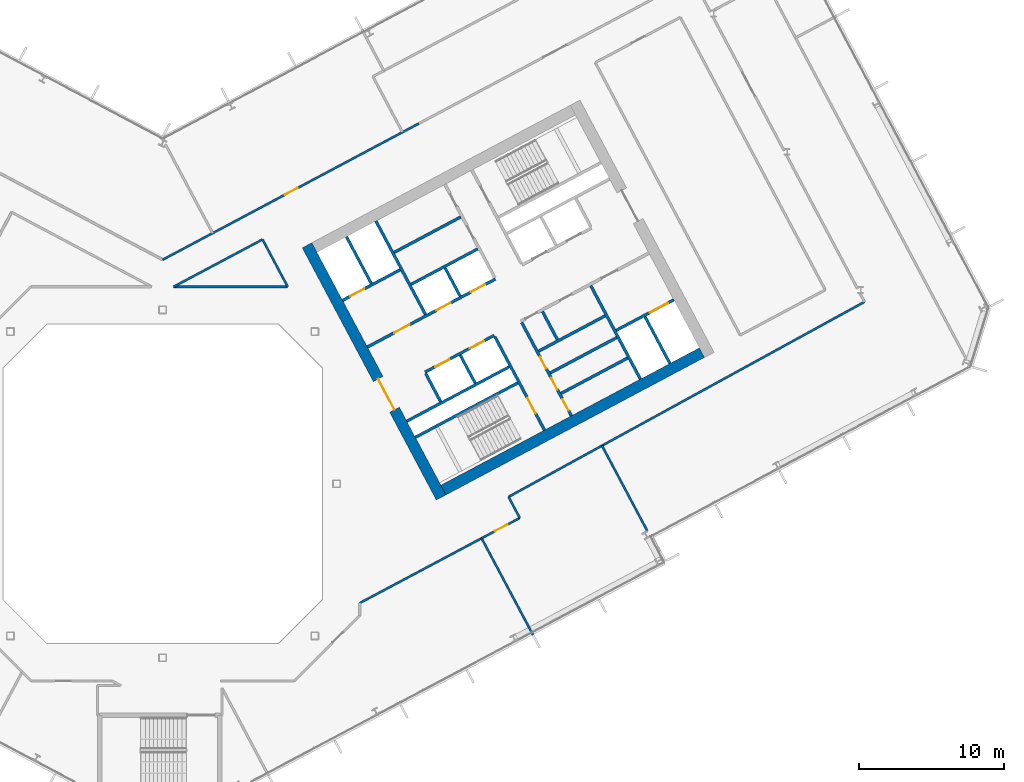
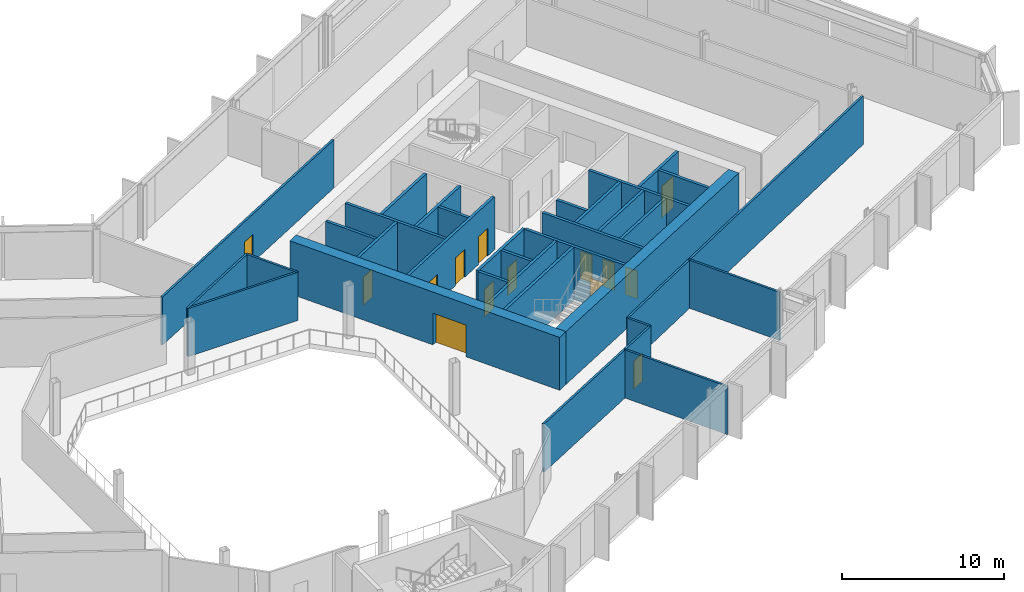
# One storey, part 16 of 28: 34 walls, 14 doors, 14 openings.
"""IFC4 building model written with IfcOpenShell, lengths in metres."""

from ifc_helpers import new_model, si_unit, direction, frame, frame_2d, origin, place, context, subcontext, project, spatial, rectangle, extrude, material, layer, layer_set, type_object, element, fill, save


model = new_model("IFC4")

# Units and contexts
model_context = context("Model", 3, precision=1e-05, world=origin(), true_north=direction((0.0, 1.0)))
body_context = subcontext(model_context, "Body", "Model", "MODEL_VIEW")
ifc_project = project(units=[si_unit("LENGTHUNIT", "METRE"), si_unit("AREAUNIT", "SQUARE_METRE"), si_unit("VOLUMEUNIT", "CUBIC_METRE"), si_unit("PLANEANGLEUNIT", "RADIAN"), si_unit("MASSUNIT", "GRAM", prefix="KILO")], contexts=[model_context])

# Site, building, storey
site_placement = place(None, origin())
site = spatial("IfcSite", under=ifc_project, at=site_placement, CompositionType="ELEMENT")
building_placement = place(site_placement, origin())
building = spatial("IfcBuilding", under=site, at=building_placement, Name="Cormorant Relay Tower", CompositionType="ELEMENT")
storey_placement = place(building_placement, frame((0.0, 0.0, 170.199951171875)))
storey = spatial("IfcBuildingStorey", under=building, at=storey_placement, Name="L36", CompositionType="ELEMENT", Elevation=170.199951171875)

# Walls
ifc_material_1 = material(Name="Concrete 40 MPa", Category="concrete")
ifc_layer_1 = layer(ifc_material_1, 0.199951171875)
ifc_layer_set_1 = layer_set([ifc_layer_1], Name="Core internal wall 200")
wall_type_1 = type_object("IfcWallType", Name="Core internal wall 200", PredefinedType="SOLIDWALL", material=ifc_layer_set_1)
for number, where, z_axis, x_axis, name in (
    (1, (21.567626953125, 6.9375, 0.0), (0.0, 0.0, 1.0), (-0.469533832133, 0.882914480843, 0.0), "L36 core B shaft and room wall"),
    (2, (20.522216796875, 12.950439453125, 0.0), (0.0, 0.0, 1.0), (-0.469401318492, 0.882984938828, 0.0), "L36 core B shaft and room wall"),
    (3, (27.236083984375, 9.951416015625, 0.0), (0.0, 0.0, 1.0), (-0.4694473164, 0.882960484464, 0.0), "L36 core B shaft and room wall"),
):
    element("IfcWall", number, at=place(storey_placement, frame(where, z_axis=z_axis, x_axis=x_axis)), inside=storey, type_object=wall_type_1, Name=name, PredefinedType="SOLIDWALL", context=body_context, shape_type="SweptSolid", body=[
        extrude(rectangle(XDim=2.199951171875, YDim=0.199951171875, at=frame_2d((1.10009765625, 0.0))), origin(), (0.0, 0.0, 1.0), 4.0),
    ])
for number, where, z_axis, x_axis, name in (
    (4, (27.490234375, 6.23583984375, 0.0), (0.0, 0.0, 1.0), (0.882953967957, 0.469459572775, 0.0), "L36 core B shaft and room wall"),
    (5, (26.739013671875, 7.6484375, 0.0), (0.0, 0.0, 1.0), (0.882934506056, 0.469496174655, 0.0), "L36 core B shaft and room wall"),
    (6, (15.97314453125, 15.968017578125, 0.0), (0.0, 0.0, 1.0), (0.882953967957, 0.469459572775, 0.0), "L36 core B shaft and room wall"),
):
    element("IfcWall", number, at=place(storey_placement, frame(where, z_axis=z_axis, x_axis=x_axis)), inside=storey, type_object=wall_type_1, Name=name, PredefinedType="SOLIDWALL", context=body_context, shape_type="SweptSolid", body=[
        extrude(rectangle(XDim=5.199951171875, YDim=0.199951171875, at=frame_2d((2.60009765625, 0.0))), origin(), (0.0, 0.0, 1.0), 4.0),
    ])
ifc_material_2 = material(Name="Concrete 50 MPa", Category="concrete")
ifc_layer_2 = layer(ifc_material_2, 0.199951171875)
ifc_layer_set_2 = layer_set([ifc_layer_2], Name="Core shaft wall 200")
wall_type_2 = type_object("IfcWallType", Name="Core shaft wall 200", PredefinedType="SHEAR", material=ifc_layer_set_2)
wall_1_placement = place(storey_placement, frame((14.39404296875, 13.825927734375, 0.0), z_axis=(0.0, 0.0, 1.0), x_axis=(-0.469494272526, 0.882935517501, 0.0)))
element("IfcWall", 7, at=wall_1_placement, inside=storey, type_object=wall_type_2, Name="L36 core B shaft wall", PredefinedType="SHEAR", context=body_context, shape_type="SweptSolid", body=[
    extrude(rectangle(XDim=3.64990234375, YDim=0.199951171875, at=frame_2d((1.824951171875, 0.0))), origin(), (0.0, 0.0, 1.0), 4.0),
])
wall_2_placement = place(storey_placement, frame((19.18359375, 5.669921875, 0.0), z_axis=(0.0, 0.0, 1.0), x_axis=(-0.4694473164, 0.882960484464, 0.0)))
element("IfcWall", 8, at=wall_2_placement, inside=storey, type_object=wall_type_2, Name="L36 core B shaft wall", PredefinedType="SHEAR", context=body_context, shape_type="SweptSolid", body=[
    extrude(rectangle(XDim=2.199951171875, YDim=0.199951171875, at=frame_2d((1.10009765625, 0.0))), origin(), (0.0, 0.0, 1.0), 4.0),
])
wall_3_placement = place(storey_placement, frame((18.138427734375, 11.682861328125, 0.0), z_axis=(0.0, 0.0, 1.0), x_axis=(-0.469480409012, 0.88294288918, 0.0)))
element("IfcWall", 9, at=wall_3_placement, inside=storey, type_object=wall_type_2, Name="L36 core B shaft wall", PredefinedType="SHEAR", context=body_context, shape_type="SweptSolid", body=[
    extrude(rectangle(XDim=7.300048828125, YDim=0.199951171875, at=frame_2d((3.64990234375, 0.0))), origin(), (0.0, 0.0, 1.0), 4.0),
])

# Wall, opening, door
wall_4_placement = place(storey_placement, frame((26.345947265625, 3.701904296875, 0.0), z_axis=(0.0, 0.0, 1.0), x_axis=(-0.469480409012, 0.88294288918, 0.0)))
wall_4 = element("IfcWall", 10, at=wall_4_placement, inside=storey, type_object=wall_type_2, Name="L36 core B shaft wall", PredefinedType="SHEAR", context=body_context, shape_type="SweptSolid", body=[
    extrude(rectangle(XDim=7.300048828125, YDim=0.199951171875, at=frame_2d((3.64990234375, 0.0))), origin(), (0.0, 0.0, 1.0), 4.0),
])
opening_1_placement = place(wall_4_placement, frame((1.300048828125, 0.0, 0.0)))
opening_1 = element("IfcOpeningElement", 11, at=opening_1_placement, cuts=wall_4, Name="Opening CDB-036", PredefinedType="OPENING", context=body_context, shape_type="SweptSolid", body=[
    extrude(rectangle(XDim=1.199951171875, YDim=2.10009765625, at=frame_2d((0.60009765625, 1.050048828125))), frame((0.0, 0.10986328125, 0.0), z_axis=(0.0, -1.0, 0.0), x_axis=(1.0, 0.0, 0.0)), (0.0, 0.0, 1.0), 0.219970703125),
])
ifc_material_3 = material(Name="Steel fire door", Category="steel")
door_type_1 = type_object("IfcDoorType", Name="Core stair door 1200x2100", OperationType="SINGLE_SWING_LEFT", PredefinedType="DOOR", material=ifc_material_3)
door_1_placement = place(opening_1_placement, origin())
door_1 = element("IfcDoor", 12, at=door_1_placement, inside=storey, type_object=door_type_1, Name="Core stair door 1200x2100", OperationType="SINGLE_SWING_RIGHT", OverallHeight=2.10009765625, OverallWidth=1.199951171875, PredefinedType="DOOR", context=body_context, shape_type="SweptSolid", body=[
    extrude(rectangle(XDim=1.199951171875, YDim=2.10009765625, at=frame_2d((0.60009765625, 1.050048828125))), frame((0.0, 0.02490234375, 0.0), z_axis=(0.0, -1.0, 0.0), x_axis=(1.0, 0.0, 0.0)), (0.0, 0.0, 1.0), 0.050048828125),
])
fill(opening_1, door_1)

# Wall, openings, doors
wall_5_placement = place(storey_placement, frame((28.199951171875, 4.687744140625, 0.0), z_axis=(0.0, 0.0, 1.0), x_axis=(-0.469454336211, 0.882956752176, 0.0)))
wall_5 = element("IfcWall", 13, at=wall_5_placement, inside=storey, type_object=wall_type_2, Name="L36 core B shaft wall", PredefinedType="SHEAR", context=body_context, shape_type="SweptSolid", body=[
    extrude(rectangle(XDim=7.300048828125, YDim=0.199951171875, at=frame_2d((3.64990234375, 0.0))), origin(), (0.0, 0.0, 1.0), 4.0),
])
opening_2_placement = place(wall_5_placement, frame((0.39990234375, 0.0, 0.0)))
opening_2 = element("IfcOpeningElement", 14, at=opening_2_placement, cuts=wall_5, Name="Opening CDD-217", PredefinedType="OPENING", context=body_context, shape_type="SweptSolid", body=[
    extrude(rectangle(XDim=0.89990234375, YDim=2.10009765625, at=frame_2d((0.449951171875, 1.050048828125))), frame((0.0, 0.10986328125, 0.0), z_axis=(0.0, -1.0, 0.0), x_axis=(1.0, 0.0, 0.0)), (0.0, 0.0, 1.0), 0.219970703125),
])
opening_3_placement = place(wall_5_placement, frame((2.050048828125, 0.0, 0.0)))
opening_3 = element("IfcOpeningElement", 15, at=opening_3_placement, cuts=wall_5, Name="Opening CDD-218", PredefinedType="OPENING", context=body_context, shape_type="SweptSolid", body=[
    extrude(rectangle(XDim=0.89990234375, YDim=2.10009765625, at=frame_2d((0.449951171875, 1.050048828125))), frame((0.0, 0.10986328125, 0.0), z_axis=(0.0, -1.0, 0.0), x_axis=(1.0, 0.0, 0.0)), (0.0, 0.0, 1.0), 0.219970703125),
])
opening_4_placement = place(wall_5_placement, frame((3.699951171875, 0.0, 0.0)))
opening_4 = element("IfcOpeningElement", 16, at=opening_4_placement, cuts=wall_5, Name="Opening CDD-219", PredefinedType="OPENING", context=body_context, shape_type="SweptSolid", body=[
    extrude(rectangle(XDim=0.89990234375, YDim=2.10009765625, at=frame_2d((0.449951171875, 1.050048828125))), frame((0.0, 0.10986328125, 0.0), z_axis=(0.0, -1.0, 0.0), x_axis=(1.0, 0.0, 0.0)), (0.0, 0.0, 1.0), 0.219970703125),
])
ifc_material_4 = material(Name="Steel fire door", Category="steel")
door_type_2 = type_object("IfcDoorType", Name="Core room door 900x2100", OperationType="SINGLE_SWING_LEFT", PredefinedType="DOOR", material=ifc_material_4)
door_2_placement = place(opening_2_placement, origin())
door_2 = element("IfcDoor", 17, at=door_2_placement, inside=storey, type_object=door_type_2, Name="Core room door 900x2100", OperationType="SINGLE_SWING_LEFT", OverallHeight=2.10009765625, OverallWidth=0.89990234375, PredefinedType="DOOR", context=body_context, shape_type="SweptSolid", body=[
    extrude(rectangle(XDim=0.89990234375, YDim=2.10009765625, at=frame_2d((0.449951171875, 1.050048828125))), frame((0.0, 0.02490234375, 0.0), z_axis=(0.0, -1.0, 0.0), x_axis=(1.0, 0.0, 0.0)), (0.0, 0.0, 1.0), 0.050048828125),
])
fill(opening_2, door_2)
door_3_placement = place(opening_3_placement, origin())
door_3 = element("IfcDoor", 18, at=door_3_placement, inside=storey, type_object=door_type_2, Name="Core room door 900x2100", OperationType="SINGLE_SWING_RIGHT", OverallHeight=2.10009765625, OverallWidth=0.89990234375, PredefinedType="DOOR", context=body_context, shape_type="SweptSolid", body=[
    extrude(rectangle(XDim=0.89990234375, YDim=2.10009765625, at=frame_2d((0.449951171875, 1.050048828125))), frame((0.0, 0.02490234375, 0.0), z_axis=(0.0, -1.0, 0.0), x_axis=(1.0, 0.0, 0.0)), (0.0, 0.0, 1.0), 0.050048828125),
])
fill(opening_3, door_3)
door_4_placement = place(opening_4_placement, origin())
door_4 = element("IfcDoor", 19, at=door_4_placement, inside=storey, type_object=door_type_2, Name="Core room door 900x2100", OperationType="SINGLE_SWING_RIGHT", OverallHeight=2.10009765625, OverallWidth=0.89990234375, PredefinedType="DOOR", context=body_context, shape_type="SweptSolid", body=[
    extrude(rectangle(XDim=0.89990234375, YDim=2.10009765625, at=frame_2d((0.449951171875, 1.050048828125))), frame((0.0, 0.02490234375, 0.0), z_axis=(0.0, -1.0, 0.0), x_axis=(1.0, 0.0, 0.0)), (0.0, 0.0, 1.0), 0.050048828125),
])
fill(opening_4, door_4)

# Walls
wall_6_placement = place(storey_placement, frame((32.968017578125, 7.222900390625, 0.0), z_axis=(0.0, 0.0, 1.0), x_axis=(-0.469480409012, 0.88294288918, 0.0)))
element("IfcWall", 20, at=wall_6_placement, inside=storey, type_object=wall_type_2, Name="L36 core B shaft wall", PredefinedType="SHEAR", context=body_context, shape_type="SweptSolid", body=[
    extrude(rectangle(XDim=7.300048828125, YDim=0.199951171875, at=frame_2d((3.64990234375, 0.0))), origin(), (0.0, 0.0, 1.0), 4.0),
])
wall_7_placement = place(storey_placement, frame((34.998779296875, 8.302734375, 0.0), z_axis=(0.0, 0.0, 1.0), x_axis=(-0.4694665462, 0.882950260207, 0.0)))
element("IfcWall", 21, at=wall_7_placement, inside=storey, type_object=wall_type_2, Name="L36 core B shaft wall", PredefinedType="SHEAR", context=body_context, shape_type="SweptSolid", body=[
    extrude(rectangle(XDim=3.650146484375, YDim=0.199951171875, at=frame_2d((1.8251953125, 0.0))), origin(), (0.0, 0.0, 1.0), 4.0),
])
wall_8_placement = place(storey_placement, frame((17.43359375, 3.210205078125, 0.0), z_axis=(0.0, 0.0, 1.0), x_axis=(0.882940221191, 0.469485426614, 0.0)))
element("IfcWall", 22, at=wall_8_placement, inside=storey, type_object=wall_type_2, Name="L36 core B shaft wall", PredefinedType="SHEAR", context=body_context, shape_type="SweptSolid", body=[
    extrude(rectangle(XDim=8.0, YDim=0.199951171875, at=frame_2d((4.0, 0.0))), origin(), (0.0, 0.0, 1.0), 4.0),
])

# Wall, opening, door
wall_9_placement = place(storey_placement, frame((31.295654296875, 10.5810546875, 0.0), z_axis=(0.0, 0.0, 1.0), x_axis=(0.882960433586, 0.469447412093, 0.0)))
wall_9 = element("IfcWall", 23, at=wall_9_placement, inside=storey, type_object=wall_type_2, Name="L36 core B shaft wall", PredefinedType="SHEAR", context=body_context, shape_type="SweptSolid", body=[
    extrude(rectangle(XDim=4.5, YDim=0.199951171875, at=frame_2d((2.25, 0.0))), origin(), (0.0, 0.0, 1.0), 4.0),
])
opening_5_placement = place(wall_9_placement, frame((2.64990234375, 0.0, 0.0)))
opening_5 = element("IfcOpeningElement", 24, at=opening_5_placement, cuts=wall_9, Name="Opening LD3-014", PredefinedType="OPENING", context=body_context, shape_type="SweptSolid", body=[
    extrude(rectangle(XDim=1.39990234375, YDim=2.39990234375, at=frame_2d((0.699951171875, 1.199951171875))), frame((0.0, 0.10986328125, 0.0), z_axis=(0.0, -1.0, 0.0), x_axis=(1.0, 0.0, 0.0)), (0.0, 0.0, 1.0), 0.219970703125),
])
ifc_material_5 = material(Name="Stainless steel 316", Category="steel")
door_type_3 = type_object("IfcDoorType", Name="Lift landing door 1400x2400", OperationType="DOUBLE_DOOR_SLIDING", PredefinedType="DOOR", material=ifc_material_5)
door_5_placement = place(opening_5_placement, origin())
door_5 = element("IfcDoor", 25, at=door_5_placement, inside=storey, type_object=door_type_3, Name="SV2 landing door", OperationType="DOUBLE_DOOR_SLIDING", OverallHeight=2.39990234375, OverallWidth=1.39990234375, PredefinedType="DOOR", context=body_context, shape_type="SweptSolid", body=[
    extrude(rectangle(XDim=1.39990234375, YDim=2.39990234375, at=frame_2d((0.699951171875, 1.199951171875))), frame((0.0, 0.02490234375, 0.0), z_axis=(0.0, -1.0, 0.0), x_axis=(1.0, 0.0, 0.0)), (0.0, 0.0, 1.0), 0.050048828125),
])
fill(opening_5, door_5)

# Walls
wall_10_placement = place(storey_placement, frame((16.8466796875, 4.31396484375, 0.0), z_axis=(0.0, 0.0, 1.0), x_axis=(0.882940221191, 0.469485426614, 0.0)))
element("IfcWall", 26, at=wall_10_placement, inside=storey, type_object=wall_type_2, Name="L36 core B shaft wall", PredefinedType="SHEAR", context=body_context, shape_type="SweptSolid", body=[
    extrude(rectangle(XDim=8.0, YDim=0.199951171875, at=frame_2d((4.0, 0.0))), origin(), (0.0, 0.0, 1.0), 4.0),
])
wall_11_placement = place(storey_placement, frame((25.94091796875, 9.149658203125, 0.0), z_axis=(0.0, 0.0, 1.0), x_axis=(0.882953967957, 0.469459572775, 0.0)))
element("IfcWall", 27, at=wall_11_placement, inside=storey, type_object=wall_type_2, Name="L36 core B shaft wall", PredefinedType="SHEAR", context=body_context, shape_type="SweptSolid", body=[
    extrude(rectangle(XDim=5.199951171875, YDim=0.199951171875, at=frame_2d((2.60009765625, 0.0))), origin(), (0.0, 0.0, 1.0), 4.0),
])

# Wall, openings, doors
wall_12_placement = place(storey_placement, frame((18.103759765625, 7.70068359375, 0.0), z_axis=(0.0, 0.0, 1.0), x_axis=(0.882952937579, 0.469461510692, 0.0)))
wall_12 = element("IfcWall", 28, at=wall_12_placement, inside=storey, type_object=wall_type_2, Name="L36 core B shaft wall", PredefinedType="SHEAR", context=body_context, shape_type="SweptSolid", body=[
    extrude(rectangle(XDim=5.400146484375, YDim=0.199951171875, at=frame_2d((2.7001953125, 0.0))), origin(), (0.0, 0.0, 1.0), 4.0),
])
opening_6_placement = place(wall_12_placement, frame((0.800048828125, 0.0, 0.0)))
opening_6 = element("IfcOpeningElement", 29, at=opening_6_placement, cuts=wall_12, Name="Opening LD1-048", PredefinedType="OPENING", context=body_context, shape_type="SweptSolid", body=[
    extrude(rectangle(XDim=1.10009765625, YDim=2.10009765625, at=frame_2d((0.550048828125, 1.050048828125))), frame((0.0, 0.10986328125, 0.0), z_axis=(0.0, -1.0, 0.0), x_axis=(1.0, 0.0, 0.0)), (0.0, 0.0, 1.0), 0.219970703125),
])
opening_7_placement = place(wall_12_placement, frame((3.5, 0.0, 0.0)))
opening_7 = element("IfcOpeningElement", 30, at=opening_7_placement, cuts=wall_12, Name="Opening LD1-049", PredefinedType="OPENING", context=body_context, shape_type="SweptSolid", body=[
    extrude(rectangle(XDim=1.10009765625, YDim=2.10009765625, at=frame_2d((0.550048828125, 1.050048828125))), frame((0.0, 0.10986328125, 0.0), z_axis=(0.0, -1.0, 0.0), x_axis=(1.0, 0.0, 0.0)), (0.0, 0.0, 1.0), 0.219970703125),
])
ifc_material_6 = material(Name="Stainless steel 316", Category="steel")
door_type_4 = type_object("IfcDoorType", Name="Lift landing door 1100x2100", OperationType="DOUBLE_DOOR_SLIDING", PredefinedType="DOOR", material=ifc_material_6)
door_6_placement = place(opening_6_placement, origin())
door_6 = element("IfcDoor", 31, at=door_6_placement, inside=storey, type_object=door_type_4, Name="LR5 landing door", OperationType="DOUBLE_DOOR_SLIDING", OverallHeight=2.10009765625, OverallWidth=1.10009765625, PredefinedType="DOOR", context=body_context, shape_type="SweptSolid", body=[
    extrude(rectangle(XDim=1.10009765625, YDim=2.10009765625, at=frame_2d((0.550048828125, 1.050048828125))), frame((0.0, 0.02490234375, 0.0), z_axis=(0.0, -1.0, 0.0), x_axis=(1.0, 0.0, 0.0)), (0.0, 0.0, 1.0), 0.050048828125),
])
fill(opening_6, door_6)
door_7_placement = place(opening_7_placement, origin())
door_7 = element("IfcDoor", 32, at=door_7_placement, inside=storey, type_object=door_type_4, Name="LR6 landing door", OperationType="DOUBLE_DOOR_SLIDING", OverallHeight=2.10009765625, OverallWidth=1.10009765625, PredefinedType="DOOR", context=body_context, shape_type="SweptSolid", body=[
    extrude(rectangle(XDim=1.10009765625, YDim=2.10009765625, at=frame_2d((0.550048828125, 1.050048828125))), frame((0.0, 0.02490234375, 0.0), z_axis=(0.0, -1.0, 0.0), x_axis=(1.0, 0.0, 0.0)), (0.0, 0.0, 1.0), 0.050048828125),
])
fill(opening_7, door_7)

wall_13_placement = place(storey_placement, frame((14.123779296875, 9.43505859375, 0.0), z_axis=(0.0, 0.0, 1.0), x_axis=(0.882940221191, 0.469485426614, 0.0)))
wall_13 = element("IfcWall", 33, at=wall_13_placement, inside=storey, type_object=wall_type_2, Name="L36 core B shaft wall", PredefinedType="SHEAR", context=body_context, shape_type="SweptSolid", body=[
    extrude(rectangle(XDim=10.0, YDim=0.199951171875, at=frame_2d((5.0, 0.0))), origin(), (0.0, 0.0, 1.0), 4.0),
])
opening_8_placement = place(wall_13_placement, frame((2.10009765625, 0.0, 0.0)))
opening_8 = element("IfcOpeningElement", 34, at=opening_8_placement, cuts=wall_13, Name="Opening CDC-027", PredefinedType="OPENING", context=body_context, shape_type="SweptSolid", body=[
    extrude(rectangle(XDim=1.199951171875, YDim=2.10009765625, at=frame_2d((0.60009765625, 1.050048828125))), frame((0.0, 0.10986328125, 0.0), z_axis=(0.0, -1.0, 0.0), x_axis=(1.0, 0.0, 0.0)), (0.0, 0.0, 1.0), 0.219970703125),
])
opening_9_placement = place(wall_13_placement, frame((5.39990234375, 0.0, 0.0)))
opening_9 = element("IfcOpeningElement", 35, at=opening_9_placement, cuts=wall_13, Name="Opening LD1-044", PredefinedType="OPENING", context=body_context, shape_type="SweptSolid", body=[
    extrude(rectangle(XDim=1.10009765625, YDim=2.10009765625, at=frame_2d((0.550048828125, 1.050048828125))), frame((0.0, 0.10986328125, 0.0), z_axis=(0.0, -1.0, 0.0), x_axis=(1.0, 0.0, 0.0)), (0.0, 0.0, 1.0), 0.219970703125),
])
opening_10_placement = place(wall_13_placement, frame((8.10009765625, 0.0, 0.0)))
opening_10 = element("IfcOpeningElement", 36, at=opening_10_placement, cuts=wall_13, Name="Opening LD1-045", PredefinedType="OPENING", context=body_context, shape_type="SweptSolid", body=[
    extrude(rectangle(XDim=1.10009765625, YDim=2.10009765625, at=frame_2d((0.550048828125, 1.050048828125))), frame((0.0, 0.10986328125, 0.0), z_axis=(0.0, -1.0, 0.0), x_axis=(1.0, 0.0, 0.0)), (0.0, 0.0, 1.0), 0.219970703125),
])
ifc_material_7 = material(Name="Steel fire door", Category="steel")
door_type_5 = type_object("IfcDoorType", Name="Core lobby door 1200x2100", OperationType="SINGLE_SWING_LEFT", PredefinedType="DOOR", material=ifc_material_7)
door_8_placement = place(opening_8_placement, origin())
door_8 = element("IfcDoor", 37, at=door_8_placement, inside=storey, type_object=door_type_5, Name="Core lobby door 1200x2100", OperationType="SINGLE_SWING_RIGHT", OverallHeight=2.10009765625, OverallWidth=1.199951171875, PredefinedType="DOOR", context=body_context, shape_type="SweptSolid", body=[
    extrude(rectangle(XDim=1.199951171875, YDim=2.10009765625, at=frame_2d((0.60009765625, 1.050048828125))), frame((0.0, 0.02490234375, 0.0), z_axis=(0.0, -1.0, 0.0), x_axis=(1.0, 0.0, 0.0)), (0.0, 0.0, 1.0), 0.050048828125),
])
fill(opening_8, door_8)
door_9_placement = place(opening_9_placement, origin())
door_9 = element("IfcDoor", 38, at=door_9_placement, inside=storey, type_object=door_type_4, Name="LR1 landing door", OperationType="DOUBLE_DOOR_SLIDING", OverallHeight=2.10009765625, OverallWidth=1.10009765625, PredefinedType="DOOR", context=body_context, shape_type="SweptSolid", body=[
    extrude(rectangle(XDim=1.10009765625, YDim=2.10009765625, at=frame_2d((0.550048828125, 1.050048828125))), frame((0.0, 0.02490234375, 0.0), z_axis=(0.0, -1.0, 0.0), x_axis=(1.0, 0.0, 0.0)), (0.0, 0.0, 1.0), 0.050048828125),
])
fill(opening_9, door_9)
door_10_placement = place(opening_10_placement, origin())
door_10 = element("IfcDoor", 39, at=door_10_placement, inside=storey, type_object=door_type_4, Name="LR2 landing door", OperationType="DOUBLE_DOOR_SLIDING", OverallHeight=2.10009765625, OverallWidth=1.10009765625, PredefinedType="DOOR", context=body_context, shape_type="SweptSolid", body=[
    extrude(rectangle(XDim=1.10009765625, YDim=2.10009765625, at=frame_2d((0.550048828125, 1.050048828125))), frame((0.0, 0.02490234375, 0.0), z_axis=(0.0, -1.0, 0.0), x_axis=(1.0, 0.0, 0.0)), (0.0, 0.0, 1.0), 0.050048828125),
])
fill(opening_10, door_10)

# Wall
wall_14_placement = place(storey_placement, frame((17.146728515625, 13.7607421875, 0.0), z_axis=(0.0, 0.0, 1.0), x_axis=(0.882964314875, 0.469440111896, 0.0)))
element("IfcWall", 40, at=wall_14_placement, inside=storey, type_object=wall_type_2, Name="L36 core B shaft wall", PredefinedType="SHEAR", context=body_context, shape_type="SweptSolid", body=[
    extrude(rectangle(XDim=5.2001953125, YDim=0.199951171875, at=frame_2d((2.60009765625, 0.0))), origin(), (0.0, 0.0, 1.0), 4.0),
])

# Wall, opening, door
wall_15_placement = place(storey_placement, frame((12.41015625, 12.657958984375, 0.0), z_axis=(0.0, 0.0, 1.0), x_axis=(0.8829484765, 0.469469900894, 0.0)))
wall_15 = element("IfcWall", 41, at=wall_15_placement, inside=storey, type_object=wall_type_2, Name="L36 core B shaft wall", PredefinedType="SHEAR", context=body_context, shape_type="SweptSolid", body=[
    extrude(rectangle(XDim=4.499755859375, YDim=0.199951171875, at=frame_2d((2.25, 0.0))), origin(), (0.0, 0.0, 1.0), 4.0),
])
opening_11_placement = place(wall_15_placement, frame((0.60009765625, 0.0, 0.0)))
opening_11 = element("IfcOpeningElement", 42, at=opening_11_placement, cuts=wall_15, Name="Opening LD1-050", PredefinedType="OPENING", context=body_context, shape_type="SweptSolid", body=[
    extrude(rectangle(XDim=1.10009765625, YDim=2.10009765625, at=frame_2d((0.550048828125, 1.050048828125))), frame((0.0, 0.10986328125, 0.0), z_axis=(0.0, -1.0, 0.0), x_axis=(1.0, 0.0, 0.0)), (0.0, 0.0, 1.0), 0.219970703125),
])
door_11_placement = place(opening_11_placement, origin())
door_11 = element("IfcDoor", 43, at=door_11_placement, inside=storey, type_object=door_type_4, Name="FF2 landing door", OperationType="DOUBLE_DOOR_SLIDING", OverallHeight=2.10009765625, OverallWidth=1.10009765625, PredefinedType="DOOR", context=body_context, shape_type="SweptSolid", body=[
    extrude(rectangle(XDim=1.10009765625, YDim=2.10009765625, at=frame_2d((0.550048828125, 1.050048828125))), frame((0.0, 0.02490234375, 0.0), z_axis=(0.0, -1.0, 0.0), x_axis=(1.0, 0.0, 0.0)), (0.0, 0.0, 1.0), 0.050048828125),
])
fill(opening_11, door_11)

ifc_material_8 = material(Name="Concrete 60 MPa", Category="concrete")
ifc_layer_3 = layer(ifc_material_8, 0.75)
ifc_layer_set_3 = layer_set([ifc_layer_3], Name="Core wall 750")
wall_type_3 = type_object("IfcWallType", Name="Core wall 750", PredefinedType="SHEAR", material=ifc_layer_set_3)
wall_16_placement = place(storey_placement, frame((19.215087890625, -0.93896484375, 0.0), z_axis=(0.0, 0.0, 1.0), x_axis=(-0.469479580143, 0.882943329908, 0.0)))
wall_16 = element("IfcWall", 44, at=wall_16_placement, inside=storey, type_object=wall_type_3, Name="L36 core B wall", PredefinedType="SHEAR", context=body_context, shape_type="SweptSolid", body=[
    extrude(rectangle(XDim=19.699951171875, YDim=0.75, at=frame_2d((9.85009765625, 0.0))), origin(), (0.0, 0.0, 1.0), 4.0),
])
opening_12_placement = place(wall_16_placement, frame((6.85009765625, 0.0, 0.0)))
opening_12 = element("IfcOpeningElement", 45, at=opening_12_placement, cuts=wall_16, Name="Opening CDA-031", PredefinedType="OPENING", context=body_context, shape_type="SweptSolid", body=[
    extrude(rectangle(XDim=2.39990234375, YDim=2.39990234375, at=frame_2d((1.199951171875, 1.199951171875))), frame((0.0, 0.385009765625, 0.0), z_axis=(0.0, -1.0, 0.0), x_axis=(1.0, 0.0, 0.0)), (0.0, 0.0, 1.0), 0.77001953125),
])
ifc_material_9 = material(Name="Steel fire door", Category="steel")
door_type_6 = type_object("IfcDoorType", Name="Core lobby door 2400x2400", OperationType="DOUBLE_DOOR_SINGLE_SWING", PredefinedType="DOOR", material=ifc_material_9)
door_12_placement = place(opening_12_placement, origin())
door_12 = element("IfcDoor", 46, at=door_12_placement, inside=storey, type_object=door_type_6, Name="Core lobby door 2400x2400", OperationType="DOUBLE_DOOR_SINGLE_SWING", OverallHeight=2.39990234375, OverallWidth=2.39990234375, PredefinedType="DOOR", context=body_context, shape_type="SweptSolid", body=[
    extrude(rectangle(XDim=2.39990234375, YDim=2.39990234375, at=frame_2d((1.199951171875, 1.199951171875))), frame((0.0, 0.02490234375, 0.0), z_axis=(0.0, -1.0, 0.0), x_axis=(1.0, 0.0, 0.0)), (0.0, 0.0, 1.0), 0.050048828125),
])
fill(opening_12, door_12)

# Wall
wall_17_placement = place(storey_placement, frame((19.3701171875, -0.431884765625, 0.0), z_axis=(0.0, 0.0, 1.0), x_axis=(0.88294509198, 0.469476266226, 0.0)))
element("IfcWall", 47, at=wall_17_placement, inside=storey, type_object=wall_type_3, Name="L36 core B wall", PredefinedType="SHEAR", context=body_context, shape_type="SweptSolid", body=[
    extrude(rectangle(XDim=20.199951171875, YDim=0.75, at=frame_2d((10.10009765625, 0.0))), origin(), (0.0, 0.0, 1.0), 4.0),
])

# Wall, opening, door
ifc_material_10 = material(Name="Gypsum board fire partition")
ifc_layer_4 = layer(ifc_material_10, 0.14990234375)
ifc_layer_set_4 = layer_set([ifc_layer_4], Name="Corridor partition 150 EI 60")
wall_type_4 = type_object("IfcWallType", Name="Corridor partition 150 EI 60", PredefinedType="PARTITIONING", material=ifc_layer_set_4)
wall_18_placement = place(storey_placement, frame((0.0, 15.4599609375, 0.0), z_axis=(0.0, 0.0, 1.0), x_axis=(0.882949722977, 0.469467556594, 0.0)))
wall_18 = element("IfcWall", 48, at=wall_18_placement, inside=storey, type_object=wall_type_4, Name="wall/L36/part/034", PredefinedType="PARTITIONING", context=body_context, shape_type="SweptSolid", body=[
    extrude(rectangle(XDim=20.0205078125, YDim=0.14990234375, at=frame_2d((10.01025390625, 0.0))), origin(), (0.0, 0.0, 1.0), 3.64013671875),
])
opening_13_placement = place(wall_18_placement, frame((9.550048828125, 0.0, 0.0)))
opening_13 = element("IfcOpeningElement", 49, at=opening_13_placement, cuts=wall_18, Name="Opening DS-066", PredefinedType="OPENING", context=body_context, shape_type="SweptSolid", body=[
    extrude(rectangle(XDim=1.0, YDim=2.10009765625, at=frame_2d((0.5, 1.050048828125))), frame((0.0, 0.0849609375, 0.0), z_axis=(0.0, -1.0, 0.0), x_axis=(1.0, 0.0, 0.0)), (0.0, 0.0, 1.0), 0.169921875),
])
ifc_material_11 = material(Name="Timber door leaf", Category="wood")
door_type_7 = type_object("IfcDoorType", Name="Suite door 1000x2100", OperationType="SINGLE_SWING_LEFT", PredefinedType="DOOR", material=ifc_material_11)
door_13_placement = place(opening_13_placement, origin())
door_13 = element("IfcDoor", 50, at=door_13_placement, inside=storey, type_object=door_type_7, Name="door/L36/007", OperationType="SINGLE_SWING_LEFT", OverallHeight=2.10009765625, OverallWidth=1.0, PredefinedType="DOOR", context=body_context, shape_type="SweptSolid", body=[
    extrude(rectangle(XDim=1.0, YDim=2.10009765625, at=frame_2d((0.5, 1.050048828125))), frame((0.0, 0.02490234375, 0.0), z_axis=(0.0, -1.0, 0.0), x_axis=(1.0, 0.0, 0.0)), (0.0, 0.0, 1.0), 0.050048828125),
])
fill(opening_13, door_13)

# Walls
wall_19_placement = place(storey_placement, frame((22.032958984375, -3.7451171875, 0.0), z_axis=(0.0, 0.0, 1.0), x_axis=(-0.882987596652, -0.469396318859, 0.0)))
element("IfcWall", 51, at=wall_19_placement, inside=storey, type_object=wall_type_4, Name="wall/L36/part/056", PredefinedType="PARTITIONING", context=body_context, shape_type="SweptSolid", body=[
    extrude(rectangle(XDim=9.55029296875, YDim=0.14990234375, at=frame_2d((4.775146484375, 0.0))), origin(), (0.0, 0.0, 1.0), 3.64013671875),
])
wall_20_placement = place(storey_placement, frame((23.867919921875, -0.904052734375, 0.0), z_axis=(0.0, 0.0, 1.0), x_axis=(0.469549041813, -0.882906392169, 0.0)))
element("IfcWall", 52, at=wall_20_placement, inside=storey, type_object=wall_type_4, Name="wall/L36/part/064", PredefinedType="PARTITIONING", context=body_context, shape_type="SweptSolid", body=[
    extrude(rectangle(XDim=1.646728515625, YDim=0.14990234375, at=frame_2d((0.8232421875, 0.0))), origin(), (0.0, 0.0, 1.0), 3.64013671875),
])

# Wall, opening, door
wall_21_placement = place(storey_placement, frame((24.64111328125, -2.35791015625, 0.0), z_axis=(0.0, 0.0, 1.0), x_axis=(-0.882887698607, -0.46958419016, 0.0)))
wall_21 = element("IfcWall", 53, at=wall_21_placement, inside=storey, type_object=wall_type_4, Name="wall/L36/part/065", PredefinedType="PARTITIONING", context=body_context, shape_type="SweptSolid", body=[
    extrude(rectangle(XDim=2.9541015625, YDim=0.14990234375, at=frame_2d((1.47705078125, 0.0))), origin(), (0.0, 0.0, 1.0), 3.64013671875),
])
opening_14_placement = place(wall_21_placement, frame((0.949951171875, 0.0, 0.0)))
opening_14 = element("IfcOpeningElement", 54, at=opening_14_placement, cuts=wall_21, Name="Opening DS-065", PredefinedType="OPENING", context=body_context, shape_type="SweptSolid", body=[
    extrude(rectangle(XDim=1.0, YDim=2.10009765625, at=frame_2d((0.5, 1.050048828125))), frame((0.0, 0.0849609375, 0.0), z_axis=(0.0, -1.0, 0.0), x_axis=(1.0, 0.0, 0.0)), (0.0, 0.0, 1.0), 0.169921875),
])
door_14_placement = place(opening_14_placement, origin())
door_14 = element("IfcDoor", 55, at=door_14_placement, inside=storey, type_object=door_type_7, Name="door/L36/004", OperationType="SINGLE_SWING_RIGHT", OverallHeight=2.10009765625, OverallWidth=1.0, PredefinedType="DOOR", context=body_context, shape_type="SweptSolid", body=[
    extrude(rectangle(XDim=1.0, YDim=2.10009765625, at=frame_2d((0.5, 1.050048828125))), frame((0.0, 0.02490234375, 0.0), z_axis=(0.0, -1.0, 0.0), x_axis=(1.0, 0.0, 0.0)), (0.0, 0.0, 1.0), 0.050048828125),
])
fill(opening_14, door_14)

# Walls
wall_22_placement = place(storey_placement, frame((30.405029296875, 2.680908203125, 0.0), z_axis=(0.0, 0.0, 1.0), x_axis=(-0.877016761441, -0.480459779952, 0.0)))
element("IfcWall", 56, at=wall_22_placement, inside=storey, type_object=wall_type_4, Name="wall/L36/part/067", PredefinedType="PARTITIONING", context=body_context, shape_type="SweptSolid", body=[
    extrude(rectangle(XDim=7.454833984375, YDim=0.14990234375, at=frame_2d((3.7275390625, 0.0))), origin(), (0.0, 0.0, 1.0), 3.64013671875),
])
wall_23_placement = place(storey_placement, frame((48.425048828125, 12.552978515625, 0.0), z_axis=(0.0, 0.0, 1.0), x_axis=(-0.877014972238, -0.480463045894, 0.0)))
element("IfcWall", 57, at=wall_23_placement, inside=storey, type_object=wall_type_4, Name="wall/L36/part/071", PredefinedType="PARTITIONING", context=body_context, shape_type="SweptSolid", body=[
    extrude(rectangle(XDim=20.546875, YDim=0.14990234375, at=frame_2d((10.2734375, 0.0))), origin(), (0.0, 0.0, 1.0), 3.64013671875),
])
wall_24_placement = place(storey_placement, frame((0.762939453125, 13.60009765625, 0.0), z_axis=(0.0, 0.0, 1.0), x_axis=(1.0, 0.0, 0.0)))
element("IfcWall", 58, at=wall_24_placement, inside=storey, type_object=wall_type_4, Name="wall/L36/part/082", PredefinedType="PARTITIONING", context=body_context, shape_type="SweptSolid", body=[
    extrude(rectangle(XDim=7.862060546875, YDim=0.14990234375, at=frame_2d((3.93115234375, 0.0))), origin(), (0.0, 0.0, 1.0), 3.64013671875),
])
wall_25_placement = place(storey_placement, frame((8.625, 13.60009765625, 0.0), z_axis=(0.0, 0.0, 1.0), x_axis=(-0.469509851752, 0.88292723319, 0.0)))
element("IfcWall", 59, at=wall_25_placement, inside=storey, type_object=wall_type_4, Name="wall/L36/part/083", PredefinedType="PARTITIONING", context=body_context, shape_type="SweptSolid", body=[
    extrude(rectangle(XDim=3.69091796875, YDim=0.14990234375, at=frame_2d((1.845458984375, 0.0))), origin(), (0.0, 0.0, 1.0), 3.64013671875),
])
wall_26_placement = place(storey_placement, frame((6.89208984375, 16.85888671875, 0.0), z_axis=(0.0, 0.0, 1.0), x_axis=(-0.882955833877, -0.469456063357, 0.0)))
element("IfcWall", 60, at=wall_26_placement, inside=storey, type_object=wall_type_4, Name="wall/L36/part/084", PredefinedType="PARTITIONING", context=body_context, shape_type="SweptSolid", body=[
    extrude(rectangle(XDim=6.941650390625, YDim=0.14990234375, at=frame_2d((3.470703125, 0.0))), origin(), (0.0, 0.0, 1.0), 3.64013671875),
])
ifc_material_12 = material(Name="Gypsum board partition")
ifc_layer_5 = layer(ifc_material_12, 0.14990234375)
ifc_layer_set_5 = layer_set([ifc_layer_5], Name="Tenant partition 150")
wall_type_5 = type_object("IfcWallType", Name="Tenant partition 150", PredefinedType="PARTITIONING", material=ifc_layer_set_5)
wall_27_placement = place(storey_placement, frame((22.007080078125, -3.758056640625, 0.0), z_axis=(0.0, 0.0, 1.0), x_axis=(0.469527165858, -0.882918025935, 0.0)))
element("IfcWall", 61, at=wall_27_placement, inside=storey, type_object=wall_type_5, Name="wall/L36/part/055", PredefinedType="PARTITIONING", context=body_context, shape_type="SweptSolid", body=[
    extrude(rectangle(XDim=7.550048828125, YDim=0.14990234375, at=frame_2d((3.77490234375, 0.0))), origin(), (0.0, 0.0, 1.0), 3.64013671875),
])
wall_28_placement = place(storey_placement, frame((30.31298828125, 2.631103515625, 0.0), z_axis=(0.0, 0.0, 1.0), x_axis=(0.469521541478, -0.882921016902, 0.0)))
element("IfcWall", 62, at=wall_28_placement, inside=storey, type_object=wall_type_5, Name="wall/L36/part/066", PredefinedType="PARTITIONING", context=body_context, shape_type="SweptSolid", body=[
    extrude(rectangle(XDim=6.642822265625, YDim=0.14990234375, at=frame_2d((3.3212890625, 0.0))), origin(), (0.0, 0.0, 1.0), 3.64013671875),
])

save(model, "model.ifc")
